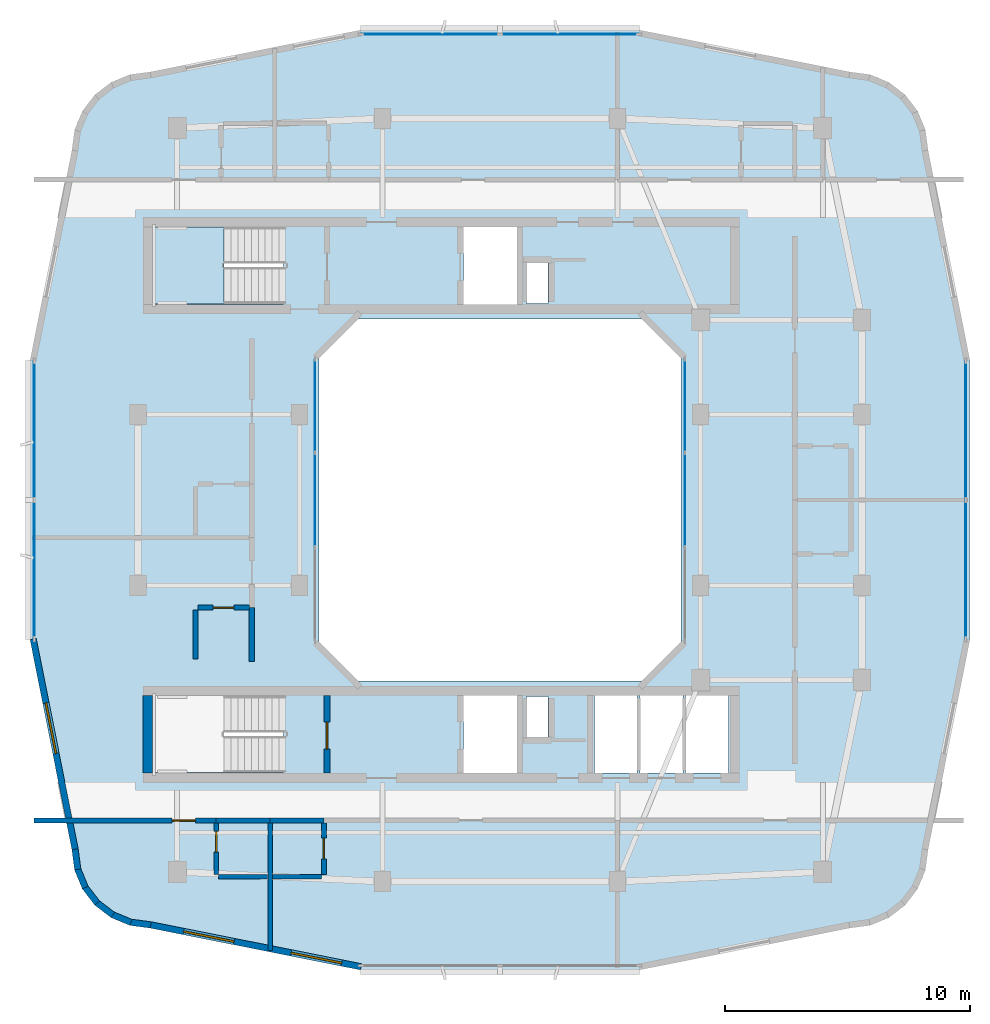
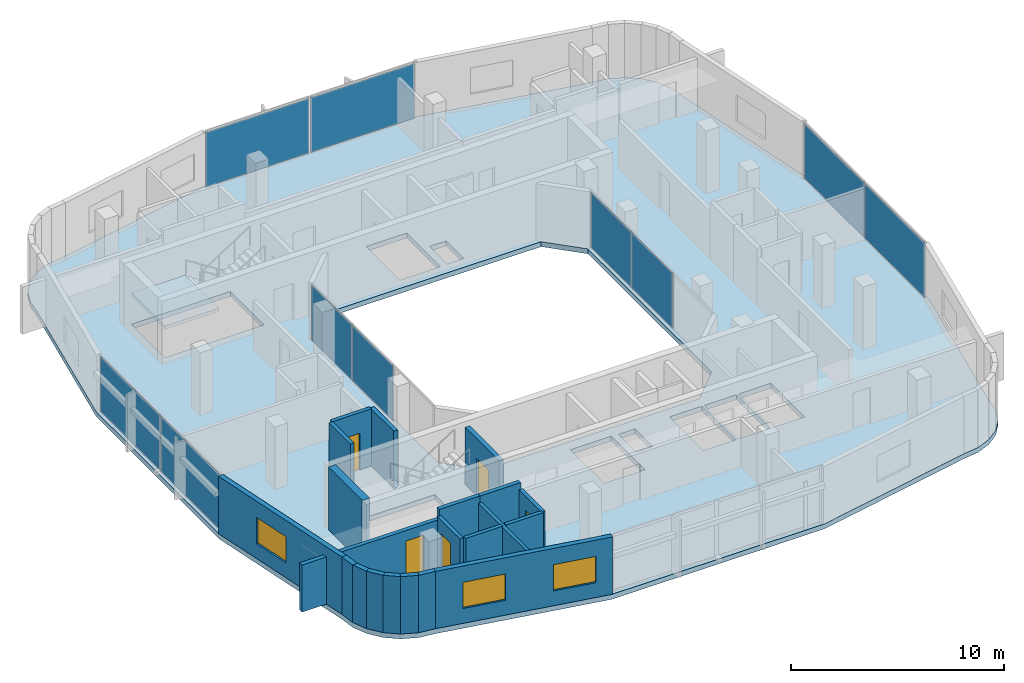
# One storey, part 6 of 13: 21 walls, 10 plates, 5 doors, 3 windows, 2 slabs, 8 openings, 6 elements without a shape of their own.
"""IFC4 building model written with IfcOpenShell, lengths in metres."""

from ifc_helpers import new_model, si_unit, derived_unit, direction, frame, frame_2d, origin, origin_2d, place, context, subcontext, project, spatial, polyline, rectangle, outline, extrude, material, layer, layer_set, type_object, element, fill, aggregate, save


model = new_model("IFC4")

# Units and contexts
model_context = context("Model", 3, precision=1e-05, world=origin(), true_north=direction((0.0, 1.0)))
body_context = subcontext(model_context, "Body", "Model", "MODEL_VIEW")
ifc_project = project(units=[si_unit("LENGTHUNIT", "METRE"), si_unit("AREAUNIT", "SQUARE_METRE"), si_unit("VOLUMEUNIT", "CUBIC_METRE"), si_unit("PLANEANGLEUNIT", "RADIAN"), si_unit("MASSUNIT", "GRAM", prefix="KILO"), derived_unit("THERMALTRANSMITTANCEUNIT", [(si_unit("POWERUNIT", "WATT"), 1), (si_unit("LENGTHUNIT", "METRE"), -2), (si_unit("THERMODYNAMICTEMPERATUREUNIT", "KELVIN"), -1)])], contexts=[model_context])

# Site, building, storey
site_placement = place(None, origin())
site = spatial("IfcSite", under=ifc_project, at=site_placement, CompositionType="ELEMENT")
building_placement = place(site_placement, origin())
building = spatial("IfcBuilding", under=site, at=building_placement, Name="Kivonza Crest Hotel", CompositionType="ELEMENT")
storey_placement = place(building_placement, frame((0.0, 0.0, 235.10009765625)))
storey = spatial("IfcBuildingStorey", under=building, at=storey_placement, Name="L64", CompositionType="ELEMENT", Elevation=235.10009765625)

# Curtain wall, plates
ifc_material_1 = material(Name="Anodised bronze aluminium and low-E double glazing", Category="aluminium")
ifc_layer_1 = layer(ifc_material_1, 0.159912109375)
ifc_layer_set_1 = layer_set([ifc_layer_1], Name="Anodised bronze aluminium and low-E double glazing")
curtain_wall_type_1 = type_object("IfcCurtainWallType", Name="CW-SYS-5", PredefinedType="NOTDEFINED", material=ifc_layer_set_1)
curtain_wall_1_placement = place(storey_placement, origin())
curtain_wall_1 = element("IfcCurtainWall", 1, at=curtain_wall_1_placement, inside=storey, type_object=curtain_wall_type_1, Name="L64 unitised curtain wall CW-WELL-T1-L64-3", PredefinedType="NOTDEFINED")
ifc_material_2 = material(Name="Solar-control low-E double glazing", Category="glass")
ifc_layer_2 = layer(ifc_material_2, 0.028076171875)
ifc_layer_set_2 = layer_set([ifc_layer_2], Name="Solar-control low-E double glazing")
plate_type_1 = type_object("IfcPlateType", Name="CW-PNL-28", PredefinedType="CURTAIN_PANEL", material=ifc_layer_set_2)
plate_1_placement = place(storey_placement, frame((28.56005859375, 25.0, 0.06494140625), z_axis=(0.0, 0.0, 1.0), x_axis=(0.0, 1.0, 0.0)))
plate_1 = element("IfcPlate", 2, at=plate_1_placement, type_object=plate_type_1, Name="CW-5 panel 2.1", PredefinedType="CURTAIN_PANEL", context=body_context, shape_type="SweptSolid", body=[
    extrude(rectangle(XDim=3.8017578125, YDim=0.028076171875, at=origin_2d()), origin(), (0.0, 0.0, 1.0), 3.14990234375),
])
plate_2_placement = place(storey_placement, frame((28.56005859375, 28.850341796875, 0.06494140625), z_axis=(0.0, 0.0, 1.0), x_axis=(0.0, 1.0, 0.0)))
plate_2 = element("IfcPlate", 3, at=plate_2_placement, type_object=plate_type_1, Name="CW-5 panel 3.1", PredefinedType="CURTAIN_PANEL", context=body_context, shape_type="SweptSolid", body=[
    extrude(rectangle(XDim=3.769287109375, YDim=0.028076171875, at=origin_2d()), origin(), (0.0, 0.0, 1.0), 3.14990234375),
])
aggregate(curtain_wall_1, [plate_1, plate_2])

curtain_wall_2_placement = place(storey_placement, origin())
curtain_wall_2 = element("IfcCurtainWall", 4, at=curtain_wall_2_placement, inside=storey, type_object=curtain_wall_type_1, Name="L64 unitised curtain wall CW-WELL-T1-L64-7", PredefinedType="NOTDEFINED")
plate_3_placement = place(storey_placement, frame((13.43994140625, 28.850341796875, 0.06494140625), z_axis=(0.0, 0.0, 1.0), x_axis=(0.0, -1.0, 0.0)))
plate_3 = element("IfcPlate", 5, at=plate_3_placement, type_object=plate_type_1, Name="CW-5 panel 1.1", PredefinedType="CURTAIN_PANEL", context=body_context, shape_type="SweptSolid", body=[
    extrude(rectangle(XDim=3.769287109375, YDim=0.028076171875, at=origin_2d()), origin(), (0.0, 0.0, 1.0), 3.14990234375),
])
plate_4_placement = place(storey_placement, frame((13.43994140625, 25.0, 0.06494140625), z_axis=(0.0, 0.0, 1.0), x_axis=(0.0, -1.0, 0.0)))
plate_4 = element("IfcPlate", 6, at=plate_4_placement, type_object=plate_type_1, Name="CW-5 panel 2.1", PredefinedType="CURTAIN_PANEL", context=body_context, shape_type="SweptSolid", body=[
    extrude(rectangle(XDim=3.8017578125, YDim=0.028076171875, at=origin_2d()), origin(), (0.0, 0.0, 1.0), 3.14990234375),
])
aggregate(curtain_wall_2, [plate_3, plate_4])

ifc_layer_3 = layer(ifc_material_1, 0.179931640625)
ifc_layer_set_3 = layer_set([ifc_layer_3], Name="Anodised bronze aluminium and low-E double glazing")
curtain_wall_type_2 = type_object("IfcCurtainWallType", Name="CW-SYS-3", PredefinedType="NOTDEFINED", material=ifc_layer_set_3)
curtain_wall_3_placement = place(storey_placement, origin())
curtain_wall_3 = element("IfcCurtainWall", 7, at=curtain_wall_3_placement, inside=storey, type_object=curtain_wall_type_2, Name="L64 unitised curtain wall CW-T1-L64-17", PredefinedType="NOTDEFINED")
ifc_material_3 = material(Name="Acoustic triple-laminated low-E glazing", Category="glass")
ifc_layer_4 = layer(ifc_material_3, 0.035888671875)
ifc_layer_set_4 = layer_set([ifc_layer_4], Name="Acoustic triple-laminated low-E glazing")
plate_type_2 = type_object("IfcPlateType", Name="CW-PNL-36", PredefinedType="CURTAIN_PANEL", material=ifc_layer_set_4)
plate_5_placement = place(storey_placement, frame((40.0400390625, 22.15869140625, 0.074951171875), z_axis=(0.0, 0.0, 1.0), x_axis=(0.0, 1.0, 0.0)))
plate_5 = element("IfcPlate", 8, at=plate_5_placement, type_object=plate_type_2, Name="CW-3 panel 1.1", PredefinedType="CURTAIN_PANEL", context=body_context, shape_type="SweptSolid", body=[
    extrude(rectangle(XDim=5.607421875, YDim=0.035888671875, at=origin_2d()), origin(), (0.0, 0.0, 1.0), 3.1298828125),
])
plate_6_placement = place(storey_placement, frame((40.0400390625, 27.84130859375, 0.074951171875), z_axis=(0.0, 0.0, 1.0), x_axis=(0.0, 1.0, 0.0)))
plate_6 = element("IfcPlate", 9, at=plate_6_placement, type_object=plate_type_2, Name="CW-3 panel 2.1", PredefinedType="CURTAIN_PANEL", context=body_context, shape_type="SweptSolid", body=[
    extrude(rectangle(XDim=5.607421875, YDim=0.035888671875, at=origin_2d()), origin(), (0.0, 0.0, 1.0), 3.1298828125),
])
aggregate(curtain_wall_3, [plate_5, plate_6])

curtain_wall_4_placement = place(storey_placement, origin())
curtain_wall_4 = element("IfcCurtainWall", 10, at=curtain_wall_4_placement, inside=storey, type_object=curtain_wall_type_2, Name="L64 unitised curtain wall CW-T1-L64-26", PredefinedType="NOTDEFINED")
plate_7_placement = place(storey_placement, frame((23.84130859375, 44.0400390625, 0.074951171875), z_axis=(0.0, 0.0, 1.0), x_axis=(-1.0, 0.0, 0.0)))
plate_7 = element("IfcPlate", 11, at=plate_7_placement, type_object=plate_type_2, Name="CW-3 panel 1.1", PredefinedType="CURTAIN_PANEL", context=body_context, shape_type="SweptSolid", body=[
    extrude(rectangle(XDim=5.607421875, YDim=0.035888671875, at=origin_2d()), origin(), (0.0, 0.0, 1.0), 3.1298828125),
])
plate_8_placement = place(storey_placement, frame((18.15869140625, 44.0400390625, 0.074951171875), z_axis=(0.0, 0.0, 1.0), x_axis=(-1.0, 0.0, 0.0)))
plate_8 = element("IfcPlate", 12, at=plate_8_placement, type_object=plate_type_2, Name="CW-3 panel 2.1", PredefinedType="CURTAIN_PANEL", context=body_context, shape_type="SweptSolid", body=[
    extrude(rectangle(XDim=5.607421875, YDim=0.035888671875, at=origin_2d()), origin(), (0.0, 0.0, 1.0), 3.1298828125),
])
aggregate(curtain_wall_4, [plate_7, plate_8])

curtain_wall_5_placement = place(storey_placement, origin())
curtain_wall_5 = element("IfcCurtainWall", 13, at=curtain_wall_5_placement, inside=storey, type_object=curtain_wall_type_2, Name="L64 unitised curtain wall CW-T1-L64-35", PredefinedType="NOTDEFINED")
plate_9_placement = place(storey_placement, frame((1.9599609375, 27.84130859375, 0.074951171875), z_axis=(0.0, 0.0, 1.0), x_axis=(0.0, -1.0, 0.0)))
plate_9 = element("IfcPlate", 14, at=plate_9_placement, type_object=plate_type_2, Name="CW-3 panel 1.1", PredefinedType="CURTAIN_PANEL", context=body_context, shape_type="SweptSolid", body=[
    extrude(rectangle(XDim=5.607421875, YDim=0.035888671875, at=origin_2d()), origin(), (0.0, 0.0, 1.0), 3.1298828125),
])
plate_10_placement = place(storey_placement, frame((1.9599609375, 22.15869140625, 0.074951171875), z_axis=(0.0, 0.0, 1.0), x_axis=(0.0, -1.0, 0.0)))
plate_10 = element("IfcPlate", 15, at=plate_10_placement, type_object=plate_type_2, Name="CW-3 panel 2.1", PredefinedType="CURTAIN_PANEL", context=body_context, shape_type="SweptSolid", body=[
    extrude(rectangle(XDim=5.607421875, YDim=0.035888671875, at=origin_2d()), origin(), (0.0, 0.0, 1.0), 3.1298828125),
])
aggregate(curtain_wall_5, [plate_9, plate_10])

# Slab
ifc_material_4 = material(Name="Concrete C40/50", Category="concrete")
ifc_layer_5 = layer(ifc_material_4, 0.280029296875)
ifc_layer_set_5 = layer_set([ifc_layer_5], Name="Concrete C40/50")
slab_type_1 = type_object("IfcSlabType", Name="SL-HTL-280", PredefinedType="FLOOR", material=ifc_layer_set_5)
slab_1_placement = place(storey_placement, frame((0.0, 0.0, -0.280029296875)))
element("IfcSlab", 16, at=slab_1_placement, inside=storey, type_object=slab_type_1, Name="Tower T1 L64 floor slab", PredefinedType="FLOOR", context=body_context, shape_type="SweptSolid", body=[
    extrude(outline(polyline([(3.5, 10.699951171875), (3.60888671875, 9.8720703125), (3.928955078125, 9.10009765625), (4.43701171875, 8.43701171875), (5.10009765625, 7.928955078125), (5.8720703125, 7.60888671875), (6.699951171875, 7.5), (15.239990234375, 5.800048828125), (26.760009765625, 5.800048828125), (35.300048828125, 7.5), (36.1279296875, 7.60888671875), (36.89990234375, 7.928955078125), (37.56298828125, 8.43701171875), (38.071044921875, 9.10009765625), (38.39111328125, 9.8720703125), (38.5, 10.699951171875), (40.199951171875, 19.239990234375), (40.199951171875, 30.760009765625), (38.5, 39.300048828125), (38.39111328125, 40.1279296875), (38.071044921875, 40.89990234375), (37.56298828125, 41.56298828125), (36.89990234375, 42.071044921875), (36.1279296875, 42.39111328125), (35.300048828125, 42.5), (26.760009765625, 44.199951171875), (15.239990234375, 44.199951171875), (6.699951171875, 42.5), (5.8720703125, 42.39111328125), (5.10009765625, 42.071044921875), (4.43701171875, 41.56298828125), (3.928955078125, 40.89990234375), (3.60888671875, 40.1279296875), (3.5, 39.300048828125), (1.800048828125, 30.760009765625), (1.800048828125, 19.239990234375), (3.5, 10.699951171875)]), holes=[polyline([(15.199951171875, 17.60009765625), (26.800048828125, 17.60009765625), (28.39990234375, 19.199951171875), (28.39990234375, 30.800048828125), (26.800048828125, 32.39990234375), (15.199951171875, 32.39990234375), (13.60009765625, 30.800048828125), (13.60009765625, 19.199951171875), (15.199951171875, 17.60009765625)]), polyline([(6.800048828125, 33.02001953125), (12.159912109375, 33.02001953125), (12.159912109375, 36.159912109375), (6.800048828125, 36.159912109375), (6.800048828125, 33.02001953125)]), polyline([(6.800048828125, 13.860107421875), (12.159912109375, 13.860107421875), (12.159912109375, 17.0), (6.800048828125, 17.0), (6.800048828125, 13.860107421875)]), polyline([(22.080078125, 33.0400390625), (22.969970703125, 33.0400390625), (22.969970703125, 34.679931640625), (22.080078125, 34.679931640625), (22.080078125, 33.0400390625)]), polyline([(22.080078125, 15.320068359375), (22.969970703125, 15.320068359375), (22.969970703125, 16.9599609375), (22.080078125, 16.9599609375), (22.080078125, 15.320068359375)]), polyline([(19.5, 33.0), (21.699951171875, 33.0), (21.699951171875, 36.159912109375), (19.5, 36.159912109375), (19.5, 33.0)]), polyline([(19.5, 13.840087890625), (21.699951171875, 13.840087890625), (21.699951171875, 17.0), (19.5, 17.0), (19.5, 13.840087890625)]), polyline([(24.860107421875, 13.840087890625), (26.60693359375, 13.840087890625), (26.60693359375, 17.0), (24.860107421875, 17.0), (24.860107421875, 13.840087890625)]), polyline([(26.72705078125, 13.840087890625), (28.472900390625, 13.840087890625), (28.472900390625, 17.0), (26.72705078125, 17.0), (26.72705078125, 13.840087890625)]), polyline([(28.593017578125, 13.840087890625), (30.340087890625, 13.840087890625), (30.340087890625, 17.0), (28.593017578125, 17.0), (28.593017578125, 13.840087890625)])]), origin(), (0.0, 0.0, 1.0), 0.280029296875),
])

# Stair, slab
stair_type = type_object("IfcStairType", Name="ST-DL-20R", PredefinedType="HALF_TURN_STAIR", material=ifc_material_4)
stair_placement = place(storey_placement, origin())
stair = element("IfcStair", 17, at=stair_placement, inside=storey, type_object=stair_type, Name="L64 Protected Exit Stair ST-T1-N", PredefinedType="HALF_TURN_STAIR")
ifc_layer_6 = layer(ifc_material_4, 0.199951171875)
ifc_layer_set_6 = layer_set([ifc_layer_6], Name="Concrete C40/50")
slab_type_2 = type_object("IfcSlabType", Name="SL-LAND-200", PredefinedType="LANDING", material=ifc_layer_set_6)
slab_2_placement = place(storey_placement, frame((0.0, 0.0, 1.599853515625)))
slab_2 = element("IfcSlab", 18, at=slab_2_placement, type_object=slab_type_2, Name="ST-T1-N landing 1", PredefinedType="LANDING", context=body_context, shape_type="SweptSolid", body=[
    extrude(outline(polyline([(9.719970703125, 36.159912109375), (6.800048828125, 36.159912109375), (6.800048828125, 33.02001953125), (9.719970703125, 33.02001953125), (9.719970703125, 36.159912109375)])), origin(), (0.0, 0.0, 1.0), 0.199951171875),
])
aggregate(stair, [slab_2])

# Walls
ifc_material_5 = material(Name="High-density acoustic masonry inter-tenancy wall", Category="masonry")
ifc_layer_7 = layer(ifc_material_5, 0.179931640625)
ifc_layer_set_7 = layer_set([ifc_layer_7], Name="High-density acoustic masonry inter-tenancy wall")
wall_type_1 = type_object("IfcWallType", Name="WL-ACOU-180", PredefinedType="SOLIDWALL", material=ifc_layer_set_7)
wall_1_placement = place(storey_placement, frame((11.60009765625, 6.5859375, 0.0), z_axis=(0.0, 0.0, 1.0), x_axis=(0.0, 1.0, 0.0)))
element("IfcWall", 19, at=wall_1_placement, inside=storey, type_object=wall_type_1, Name="L64 interior partition WA-L64-T1S-DIV1", PredefinedType="SOLIDWALL", context=body_context, shape_type="SweptSolid", body=[
    extrude(rectangle(XDim=5.31396484375, YDim=0.179931640625, at=frame_2d((2.656982421875, 0.0))), origin(), (0.0, 0.0, 1.0), 2.89501953125),
])
ifc_material_6 = material(Name="Autoclaved aerated concrete blockwork", Category="masonry")
ifc_layer_8 = layer(ifc_material_6, 0.219970703125)
ifc_layer_set_8 = layer_set([ifc_layer_8], Name="Autoclaved aerated concrete blockwork")
wall_type_2 = type_object("IfcWallType", Name="WL-ACOU-220", PredefinedType="SOLIDWALL", material=ifc_layer_set_8)
wall_2_placement = place(storey_placement, frame((9.39990234375, 11.89990234375, 0.0), z_axis=(0.0, 0.0, 1.0), x_axis=(1.0, 0.0, 0.0)))
element("IfcWall", 20, at=wall_2_placement, inside=storey, type_object=wall_type_2, Name="L64 interior partition WA-L64-S04-BCORR", PredefinedType="SOLIDWALL", context=body_context, shape_type="SweptSolid", body=[
    extrude(rectangle(XDim=2.2001953125, YDim=0.219970703125, at=frame_2d((1.10009765625, 0.0))), origin(), (0.0, 0.0, 1.0), 3.27978515625),
])

# Wall, opening, door
wall_3_placement = place(storey_placement, frame((1.9599609375, 11.89990234375, 0.0), z_axis=(0.0, 0.0, 1.0), x_axis=(1.0, 0.0, 0.0)))
wall_3 = element("IfcWall", 21, at=wall_3_placement, inside=storey, type_object=wall_type_2, Name="L64 interior partition WA-L64-S04-MCORR", PredefinedType="SOLIDWALL", context=body_context, shape_type="SweptSolid", body=[
    extrude(rectangle(XDim=7.43994140625, YDim=0.219970703125, at=frame_2d((3.719970703125, 0.0))), origin(), (0.0, 0.0, 1.0), 2.704833984375),
])
opening_1_placement = place(wall_3_placement, frame((5.639892578125, 0.0, 0.0)))
opening_1 = element("IfcOpeningElement", 22, at=opening_1_placement, cuts=wall_3, Name="Opening DU-60", PredefinedType="OPENING", context=body_context, shape_type="SweptSolid", body=[
    extrude(rectangle(XDim=0.949951171875, YDim=2.10009765625, at=frame_2d((0.47509765625, 1.050048828125))), frame((0.0, 0.1201171875, 0.0), z_axis=(0.0, -1.0, 0.0), x_axis=(1.0, 0.0, 0.0)), (0.0, 0.0, 1.0), 0.239990234375),
])
ifc_material_7 = material(Name="Hardwood timber oak", Category="wood")
door_type_1 = type_object("IfcDoorType", Name="DR-UNIT-950", OperationType="NOTDEFINED", PredefinedType="DOOR", material=ifc_material_7)
door_1_placement = place(opening_1_placement, frame((0.949951171875, 0.0, 0.0), z_axis=(0.0, 0.0, 1.0), x_axis=(-1.0, 0.0, 0.0)))
door_1 = element("IfcDoor", 23, at=door_1_placement, inside=storey, type_object=door_type_1, Name="L64 S04 guest unit entrance fire door", OperationType="SINGLE_SWING_RIGHT", OverallHeight=2.10009765625, OverallWidth=0.949951171875, PredefinedType="DOOR", context=body_context, shape_type="SweptSolid", body=[
    extrude(rectangle(XDim=0.949951171875, YDim=2.10009765625, at=frame_2d((0.47509765625, 1.050048828125))), frame((0.0, 0.02490234375, 0.0), z_axis=(0.0, -1.0, 0.0), x_axis=(1.0, 0.0, 0.0)), (0.0, 0.0, 1.0), 0.050048828125),
])
fill(opening_1, door_1)

# Walls
wall_4_placement = place(storey_placement, frame((11.60009765625, 11.89990234375, 0.0), z_axis=(0.0, 0.0, 1.0), x_axis=(1.0, 0.0, 0.0)))
element("IfcWall", 24, at=wall_4_placement, inside=storey, type_object=wall_type_2, Name="L64 interior partition WA-L64-S05-BCORR", PredefinedType="SOLIDWALL", context=body_context, shape_type="SweptSolid", body=[
    extrude(rectangle(XDim=2.199951171875, YDim=0.219970703125, at=frame_2d((1.10009765625, 0.0))), origin(), (0.0, 0.0, 1.0), 3.27978515625),
])
wall_5_placement = place(storey_placement, frame((10.85009765625, 18.39990234375, 0.0), z_axis=(0.0, 0.0, 1.0), x_axis=(0.0, 1.0, 0.0)))
element("IfcWall", 25, at=wall_5_placement, inside=storey, type_object=wall_type_2, Name="L64 interior partition WA-L64-W06-BCORR", PredefinedType="SOLIDWALL", context=body_context, shape_type="SweptSolid", body=[
    extrude(rectangle(XDim=2.2001953125, YDim=0.219970703125, at=frame_2d((1.10009765625, 0.0))), origin(), (0.0, 0.0, 1.0), 3.27978515625),
])
ifc_material_8 = material(Name="Concrete C50/60", Category="concrete")
ifc_layer_9 = layer(ifc_material_8, 0.39990234375)
ifc_layer_set_9 = layer_set([ifc_layer_9], Name="Concrete C50/60")
wall_type_3 = type_object("IfcWallType", Name="WL-CORE-400", PredefinedType="SHEAR", material=ifc_layer_set_9)
wall_6_placement = place(storey_placement, frame((6.60009765625, 13.840087890625, 0.0), z_axis=(0.0, 0.0, 1.0), x_axis=(0.0, 1.0, 0.0)))
element("IfcWall", 26, at=wall_6_placement, inside=storey, type_object=wall_type_3, Name="Core wall T1-S West L64", PredefinedType="SHEAR", context=body_context, shape_type="SweptSolid", body=[
    extrude(rectangle(XDim=3.159912109375, YDim=0.39990234375, at=frame_2d((1.580078125, 0.0))), origin(), (0.0, 0.0, 1.0), 3.599853515625),
])
ifc_material_9 = material(Name="Precast concrete C40/50", Category="concrete")
ifc_layer_10 = layer(ifc_material_9, 0.260009765625)
ifc_layer_set_10 = layer_set([ifc_layer_10], Name="Precast concrete C40/50")
wall_type_4 = type_object("IfcWallType", Name="WL-EXT-260", PredefinedType="STANDARD", material=ifc_layer_set_10)
wall_7_placement = place(storey_placement, frame((3.6279296875, 10.72509765625, 0.0), z_axis=(0.0, 0.0, 1.0), x_axis=(0.130954667764, -0.9913883573, 0.0)))
element("IfcWall", 27, at=wall_7_placement, inside=storey, type_object=wall_type_4, Name="L64 T1 exterior insulated wall 1", PredefinedType="STANDARD", context=body_context, shape_type="SweptSolid", body=[
    extrude(rectangle(XDim=0.833251953125, YDim=0.260009765625, at=frame_2d((0.41650390625, 0.0))), origin(), (0.0, 0.0, 1.0), 3.27978515625),
])
wall_8_placement = place(storey_placement, frame((3.718994140625, 9.945068359375, 0.0), z_axis=(0.0, 0.0, 1.0), x_axis=(0.382985169477, -0.923754491172, 0.0)))
element("IfcWall", 28, at=wall_8_placement, inside=storey, type_object=wall_type_4, Name="L64 T1 exterior insulated wall 2", PredefinedType="STANDARD", context=body_context, shape_type="SweptSolid", body=[
    extrude(rectangle(XDim=0.85107421875, YDim=0.260009765625, at=frame_2d((0.425537109375, 0.0))), origin(), (0.0, 0.0, 1.0), 3.27978515625),
])
for number, where, z_axis, x_axis, name in (
    (29, (4.01708984375, 9.198974609375, 0.0), (0.0, 0.0, 1.0), (0.607918988881, -0.793999057278, 0.0), "L64 T1 exterior insulated wall 3"),
    (30, (4.49609375, 8.554931640625, 0.0), (0.0, 0.0, 1.0), (0.793892896323, -0.608057619941, 0.0), "L64 T1 exterior insulated wall 4"),
):
    element("IfcWall", number, at=place(storey_placement, frame(where, z_axis=z_axis, x_axis=x_axis)), inside=storey, type_object=wall_type_4, Name=name, PredefinedType="STANDARD", context=body_context, shape_type="SweptSolid", body=[
        extrude(rectangle(XDim=0.85009765625, YDim=0.260009765625, at=frame_2d((0.425048828125, 0.0))), origin(), (0.0, 0.0, 1.0), 3.27978515625),
    ])
wall_9_placement = place(storey_placement, frame((5.126953125, 8.05908203125, 0.0), z_axis=(0.0, 0.0, 1.0), x_axis=(0.923652976167, -0.383229930484, 0.0)))
element("IfcWall", 31, at=wall_9_placement, inside=storey, type_object=wall_type_4, Name="L64 T1 exterior insulated wall 5", PredefinedType="STANDARD", context=body_context, shape_type="SweptSolid", body=[
    extrude(rectangle(XDim=0.85107421875, YDim=0.260009765625, at=frame_2d((0.425537109375, 0.0))), origin(), (0.0, 0.0, 1.0), 3.27978515625),
])
wall_10_placement = place(storey_placement, frame((5.864013671875, 7.740966796875, 0.0), z_axis=(0.0, 0.0, 1.0), x_axis=(0.991493480548, -0.130156359936, 0.0)))
element("IfcWall", 32, at=wall_10_placement, inside=storey, type_object=wall_type_4, Name="L64 T1 exterior insulated wall 6", PredefinedType="STANDARD", context=body_context, shape_type="SweptSolid", body=[
    extrude(rectangle(XDim=0.868408203125, YDim=0.260009765625, at=frame_2d((0.43408203125, 0.0))), origin(), (0.0, 0.0, 1.0), 3.27978515625),
])

# Wall, openings, windows
wall_11_placement = place(storey_placement, frame((6.717041015625, 7.62890625, 0.0), z_axis=(0.0, 0.0, 1.0), x_axis=(0.980745199176, -0.195291715883, 0.0)))
wall_11 = element("IfcWall", 33, at=wall_11_placement, inside=storey, type_object=wall_type_4, Name="L64 T1 exterior insulated wall 7", PredefinedType="STANDARD", context=body_context, shape_type="SweptSolid", body=[
    extrude(rectangle(XDim=8.77099609375, YDim=0.260009765625, at=frame_2d((4.385498046875, 0.0))), origin(), (0.0, 0.0, 1.0), 3.27978515625),
])
opening_2_placement = place(wall_11_placement, frame((1.3779296875, 0.0, 0.85009765625)))
opening_2 = element("IfcOpeningElement", 34, at=opening_2_placement, cuts=wall_11, Name="Opening WN-04", PredefinedType="OPENING", context=body_context, shape_type="SweptSolid", body=[
    extrude(rectangle(XDim=2.10009765625, YDim=1.5, at=frame_2d((1.050048828125, 0.75))), frame((0.0, 0.14013671875, 0.0), z_axis=(0.0, -1.0, 0.0), x_axis=(1.0, 0.0, 0.0)), (0.0, 0.0, 1.0), 0.280029296875),
])
opening_3_placement = place(wall_11_placement, frame((5.862060546875, 0.0, 0.85009765625)))
opening_3 = element("IfcOpeningElement", 35, at=opening_3_placement, cuts=wall_11, Name="Opening WN-04", PredefinedType="OPENING", context=body_context, shape_type="SweptSolid", body=[
    extrude(rectangle(XDim=2.10009765625, YDim=1.5, at=frame_2d((1.050048828125, 0.75))), frame((0.0, 0.14013671875, 0.0), z_axis=(0.0, -1.0, 0.0), x_axis=(1.0, 0.0, 0.0)), (0.0, 0.0, 1.0), 0.280029296875),
])
ifc_material_10 = material(Name="Thermally broken bronze aluminium and low-E double glazing", Category="aluminium")
window_type = type_object("IfcWindowType", Name="WN-210x150", PartitioningType="DOUBLE_PANEL_VERTICAL", PredefinedType="WINDOW", material=ifc_material_10)
window_1_placement = place(opening_2_placement, origin())
window_1 = element("IfcWindow", 36, at=window_1_placement, inside=storey, type_object=window_type, Name="L64 T1 facade window 7 bay 1", OverallHeight=1.5, OverallWidth=2.10009765625, PartitioningType="SINGLE_PANEL", PredefinedType="WINDOW", context=body_context, shape_type="SweptSolid", body=[
    extrude(rectangle(XDim=2.10009765625, YDim=1.5, at=frame_2d((1.050048828125, 0.75))), frame((0.0, 0.030029296875, 0.0), z_axis=(0.0, -1.0, 0.0), x_axis=(1.0, 0.0, 0.0)), (0.0, 0.0, 1.0), 0.06005859375),
])
fill(opening_2, window_1)
window_2_placement = place(opening_3_placement, origin())
window_2 = element("IfcWindow", 37, at=window_2_placement, inside=storey, type_object=window_type, Name="L64 T1 facade window 7 bay 2", OverallHeight=1.5, OverallWidth=2.10009765625, PartitioningType="SINGLE_PANEL", PredefinedType="WINDOW", context=body_context, shape_type="SweptSolid", body=[
    extrude(rectangle(XDim=2.10009765625, YDim=1.5, at=frame_2d((1.050048828125, 0.75))), frame((0.0, 0.030029296875, 0.0), z_axis=(0.0, -1.0, 0.0), x_axis=(1.0, 0.0, 0.0)), (0.0, 0.0, 1.0), 0.06005859375),
])
fill(opening_3, window_2)

# Wall, opening, window
wall_12_placement = place(storey_placement, frame((1.916015625, 19.319091796875, 0.0), z_axis=(0.0, 0.0, 1.0), x_axis=(0.195291715883, -0.980745199176, 0.0)))
wall_12 = element("IfcWall", 38, at=wall_12_placement, inside=storey, type_object=wall_type_4, Name="L64 T1 exterior insulated wall 36", PredefinedType="STANDARD", context=body_context, shape_type="SweptSolid", body=[
    extrude(rectangle(XDim=8.77099609375, YDim=0.260009765625, at=frame_2d((4.385498046875, 0.0))), origin(), (0.0, 0.0, 1.0), 3.27978515625),
])
opening_4_placement = place(wall_12_placement, frame((2.669921875, 0.0, 0.85009765625)))
opening_4 = element("IfcOpeningElement", 39, at=opening_4_placement, cuts=wall_12, Name="Opening WN-04", PredefinedType="OPENING", context=body_context, shape_type="SweptSolid", body=[
    extrude(rectangle(XDim=2.10009765625, YDim=1.5, at=frame_2d((1.050048828125, 0.75))), frame((0.0, 0.14013671875, 0.0), z_axis=(0.0, -1.0, 0.0), x_axis=(1.0, 0.0, 0.0)), (0.0, 0.0, 1.0), 0.280029296875),
])
window_3_placement = place(opening_4_placement, origin())
window_3 = element("IfcWindow", 40, at=window_3_placement, inside=storey, type_object=window_type, Name="L64 T1 facade window 36", OverallHeight=1.5, OverallWidth=2.10009765625, PartitioningType="SINGLE_PANEL", PredefinedType="WINDOW", context=body_context, shape_type="SweptSolid", body=[
    extrude(rectangle(XDim=2.10009765625, YDim=1.5, at=frame_2d((1.050048828125, 0.75))), frame((0.0, 0.030029296875, 0.0), z_axis=(0.0, -1.0, 0.0), x_axis=(1.0, 0.0, 0.0)), (0.0, 0.0, 1.0), 0.06005859375),
])
fill(opening_4, window_3)

# Wall, opening, door
ifc_material_11 = material(Name="Moisture-resistant plumbing chase partition wall", Category="gypsum")
ifc_layer_11 = layer(ifc_material_11, 0.199951171875)
ifc_layer_set_11 = layer_set([ifc_layer_11], Name="Moisture-resistant plumbing chase partition wall")
wall_type_5 = type_object("IfcWallType", Name="WL-PLUMB-200", PredefinedType="PLUMBINGWALL", material=ifc_layer_set_11)
wall_13_placement = place(storey_placement, frame((9.39990234375, 9.699951171875, 0.0), z_axis=(0.0, 0.0, 1.0), x_axis=(0.0, 1.0, 0.0)))
wall_13 = element("IfcWall", 41, at=wall_13_placement, inside=storey, type_object=wall_type_5, Name="L64 interior partition WW-L64-S04-BV", PredefinedType="PLUMBINGWALL", context=body_context, shape_type="SweptSolid", body=[
    extrude(rectangle(XDim=2.10009765625, YDim=0.199951171875, at=frame_2d((1.050048828125, 0.0))), origin(), (0.0, 0.0, 1.0), 2.89501953125),
])
opening_5_placement = place(wall_13_placement, frame((0.905029296875, 0.0, 0.0)))
opening_5 = element("IfcOpeningElement", 42, at=opening_5_placement, cuts=wall_13, Name="Opening DI-85", PredefinedType="OPENING", context=body_context, shape_type="SweptSolid", body=[
    extrude(rectangle(XDim=0.85009765625, YDim=2.10009765625, at=frame_2d((0.425048828125, 1.050048828125))), frame((0.0, 0.10986328125, 0.0), z_axis=(0.0, -1.0, 0.0), x_axis=(1.0, 0.0, 0.0)), (0.0, 0.0, 1.0), 0.219970703125),
])
door_type_2 = type_object("IfcDoorType", Name="DR-INT-850", OperationType="NOTDEFINED", PredefinedType="DOOR", material=ifc_material_7)
door_2_placement = place(opening_5_placement, origin())
door_2 = element("IfcDoor", 43, at=door_2_placement, inside=storey, type_object=door_type_2, Name="L64 S04 en-suite bathroom door", OperationType="SINGLE_SWING_LEFT", OverallHeight=2.10009765625, OverallWidth=0.85009765625, PredefinedType="DOOR", context=body_context, shape_type="SweptSolid", body=[
    extrude(rectangle(XDim=0.85009765625, YDim=2.10009765625, at=frame_2d((0.425048828125, 1.050048828125))), frame((0.0, 0.02490234375, 0.0), z_axis=(0.0, -1.0, 0.0), x_axis=(1.0, 0.0, 0.0)), (0.0, 0.0, 1.0), 0.050048828125),
])
fill(opening_5, door_2)

# Wall
wall_14_placement = place(storey_placement, frame((9.5, 9.60009765625, 0.0), z_axis=(0.0, 0.0, 1.0), x_axis=(1.0, 0.0, 0.0)))
element("IfcWall", 44, at=wall_14_placement, inside=storey, type_object=wall_type_5, Name="L64 interior partition WW-L64-S04-BH", PredefinedType="PLUMBINGWALL", context=body_context, shape_type="SweptSolid", body=[
    extrude(rectangle(XDim=2.0, YDim=0.199951171875, at=frame_2d((1.0, 0.0))), origin(), (0.0, 0.0, 1.0), 2.974853515625),
])

# Wall, opening, door
wall_15_placement = place(storey_placement, frame((13.800048828125, 9.699951171875, 0.0), z_axis=(0.0, 0.0, 1.0), x_axis=(0.0, 1.0, 0.0)))
wall_15 = element("IfcWall", 45, at=wall_15_placement, inside=storey, type_object=wall_type_5, Name="L64 interior partition WW-L64-S05-BV", PredefinedType="PLUMBINGWALL", context=body_context, shape_type="SweptSolid", body=[
    extrude(rectangle(XDim=2.10009765625, YDim=0.199951171875, at=frame_2d((1.050048828125, 0.0))), origin(), (0.0, 0.0, 1.0), 2.89501953125),
])
opening_6_placement = place(wall_15_placement, frame((0.625, 0.0, 0.0)))
opening_6 = element("IfcOpeningElement", 46, at=opening_6_placement, cuts=wall_15, Name="Opening DI-85", PredefinedType="OPENING", context=body_context, shape_type="SweptSolid", body=[
    extrude(rectangle(XDim=0.85009765625, YDim=2.10009765625, at=frame_2d((0.425048828125, 1.050048828125))), frame((0.0, 0.10986328125, 0.0), z_axis=(0.0, -1.0, 0.0), x_axis=(1.0, 0.0, 0.0)), (0.0, 0.0, 1.0), 0.219970703125),
])
door_3_placement = place(opening_6_placement, frame((0.85009765625, 0.0, 0.0), z_axis=(0.0, 0.0, 1.0), x_axis=(-1.0, 0.0, 0.0)))
door_3 = element("IfcDoor", 47, at=door_3_placement, inside=storey, type_object=door_type_2, Name="L64 S05 en-suite bathroom door", OperationType="SINGLE_SWING_RIGHT", OverallHeight=2.10009765625, OverallWidth=0.85009765625, PredefinedType="DOOR", context=body_context, shape_type="SweptSolid", body=[
    extrude(rectangle(XDim=0.85009765625, YDim=2.10009765625, at=frame_2d((0.425048828125, 1.050048828125))), frame((0.0, 0.02490234375, 0.0), z_axis=(0.0, -1.0, 0.0), x_axis=(1.0, 0.0, 0.0)), (0.0, 0.0, 1.0), 0.050048828125),
])
fill(opening_6, door_3)

# Wall
wall_16_placement = place(storey_placement, frame((11.699951171875, 9.60009765625, 0.0), z_axis=(0.0, 0.0, 1.0), x_axis=(1.0, 0.0, 0.0)))
element("IfcWall", 48, at=wall_16_placement, inside=storey, type_object=wall_type_5, Name="L64 interior partition WW-L64-S05-BH", PredefinedType="PLUMBINGWALL", context=body_context, shape_type="SweptSolid", body=[
    extrude(rectangle(XDim=2.0, YDim=0.199951171875, at=frame_2d((1.0, 0.0))), origin(), (0.0, 0.0, 1.0), 2.974853515625),
])

# Wall, opening, door
wall_17_placement = place(storey_placement, frame((8.64990234375, 20.60009765625, 0.0), z_axis=(0.0, 0.0, 1.0), x_axis=(1.0, 0.0, 0.0)))
wall_17 = element("IfcWall", 49, at=wall_17_placement, inside=storey, type_object=wall_type_5, Name="L64 interior partition WW-L64-W06-BH", PredefinedType="PLUMBINGWALL", context=body_context, shape_type="SweptSolid", body=[
    extrude(rectangle(XDim=2.10009765625, YDim=0.199951171875, at=frame_2d((1.050048828125, 0.0))), origin(), (0.0, 0.0, 1.0), 3.27978515625),
])
opening_7_placement = place(wall_17_placement, frame((0.625, 0.0, 0.0)))
opening_7 = element("IfcOpeningElement", 50, at=opening_7_placement, cuts=wall_17, Name="Opening DI-85", PredefinedType="OPENING", context=body_context, shape_type="SweptSolid", body=[
    extrude(rectangle(XDim=0.85009765625, YDim=2.10009765625, at=frame_2d((0.425048828125, 1.050048828125))), frame((0.0, 0.10986328125, 0.0), z_axis=(0.0, -1.0, 0.0), x_axis=(1.0, 0.0, 0.0)), (0.0, 0.0, 1.0), 0.219970703125),
])
door_4_placement = place(opening_7_placement, origin())
door_4 = element("IfcDoor", 51, at=door_4_placement, inside=storey, type_object=door_type_2, Name="L64 W06 en-suite bathroom door", OperationType="SINGLE_SWING_LEFT", OverallHeight=2.10009765625, OverallWidth=0.85009765625, PredefinedType="DOOR", context=body_context, shape_type="SweptSolid", body=[
    extrude(rectangle(XDim=0.85009765625, YDim=2.10009765625, at=frame_2d((0.425048828125, 1.050048828125))), frame((0.0, 0.02490234375, 0.0), z_axis=(0.0, -1.0, 0.0), x_axis=(1.0, 0.0, 0.0)), (0.0, 0.0, 1.0), 0.050048828125),
])
fill(opening_7, door_4)

# Wall
wall_18_placement = place(storey_placement, frame((8.550048828125, 18.5, 0.0), z_axis=(0.0, 0.0, 1.0), x_axis=(0.0, 1.0, 0.0)))
element("IfcWall", 52, at=wall_18_placement, inside=storey, type_object=wall_type_5, Name="L64 interior partition WW-L64-W06-BV", PredefinedType="PLUMBINGWALL", context=body_context, shape_type="SweptSolid", body=[
    extrude(rectangle(XDim=2.0, YDim=0.199951171875, at=frame_2d((1.0, 0.0))), origin(), (0.0, 0.0, 1.0), 3.27978515625),
])

# Wall, opening, door
ifc_layer_12 = layer(ifc_material_8, 0.25)
ifc_layer_set_12 = layer_set([ifc_layer_12], Name="Concrete C50/60")
wall_type_6 = type_object("IfcWallType", Name="WL-SHAFT-250", PredefinedType="STANDARD", material=ifc_layer_set_12)
wall_19_placement = place(storey_placement, frame((13.925048828125, 13.840087890625, 0.0), z_axis=(0.0, 0.0, 1.0), x_axis=(0.0, 1.0, 0.0)))
wall_19 = element("IfcWall", 53, at=wall_19_placement, inside=storey, type_object=wall_type_6, Name="Core shaft wall T1-S STAIR L64", PredefinedType="STANDARD", context=body_context, shape_type="SweptSolid", body=[
    extrude(rectangle(XDim=3.159912109375, YDim=0.25, at=frame_2d((1.580078125, 0.0))), origin(), (0.0, 0.0, 1.0), 3.27978515625),
])
opening_8_placement = place(wall_19_placement, frame((0.97998046875, 0.0, 0.0)))
opening_8 = element("IfcOpeningElement", 54, at=opening_8_placement, cuts=wall_19, Name="Opening DF-120", PredefinedType="OPENING", context=body_context, shape_type="SweptSolid", body=[
    extrude(rectangle(XDim=1.10009765625, YDim=2.14990234375, at=frame_2d((0.550048828125, 1.074951171875))), frame((0.0, 0.135009765625, 0.0), z_axis=(0.0, -1.0, 0.0), x_axis=(1.0, 0.0, 0.0)), (0.0, 0.0, 1.0), 0.27001953125),
])
ifc_material_12 = material(Name="Galvanised steel", Category="steel")
door_type_3 = type_object("IfcDoorType", Name="DR-FD120-1100", OperationType="NOTDEFINED", PredefinedType="DOOR", material=ifc_material_12)
door_5_placement = place(opening_8_placement, frame((1.10009765625, 0.0, 0.0), z_axis=(0.0, 0.0, 1.0), x_axis=(-1.0, 0.0, 0.0)))
door_5 = element("IfcDoor", 55, at=door_5_placement, inside=storey, type_object=door_type_3, Name="L64 T1-S stair fire door", OperationType="SINGLE_SWING_RIGHT", OverallHeight=2.14990234375, OverallWidth=1.10009765625, PredefinedType="DOOR", context=body_context, shape_type="SweptSolid", body=[
    extrude(rectangle(XDim=1.10009765625, YDim=2.14990234375, at=frame_2d((0.550048828125, 1.074951171875))), frame((0.0, 0.02490234375, 0.0), z_axis=(0.0, -1.0, 0.0), x_axis=(1.0, 0.0, 0.0)), (0.0, 0.0, 1.0), 0.050048828125),
])
fill(opening_8, door_5)

save(model, "model.ifc")
